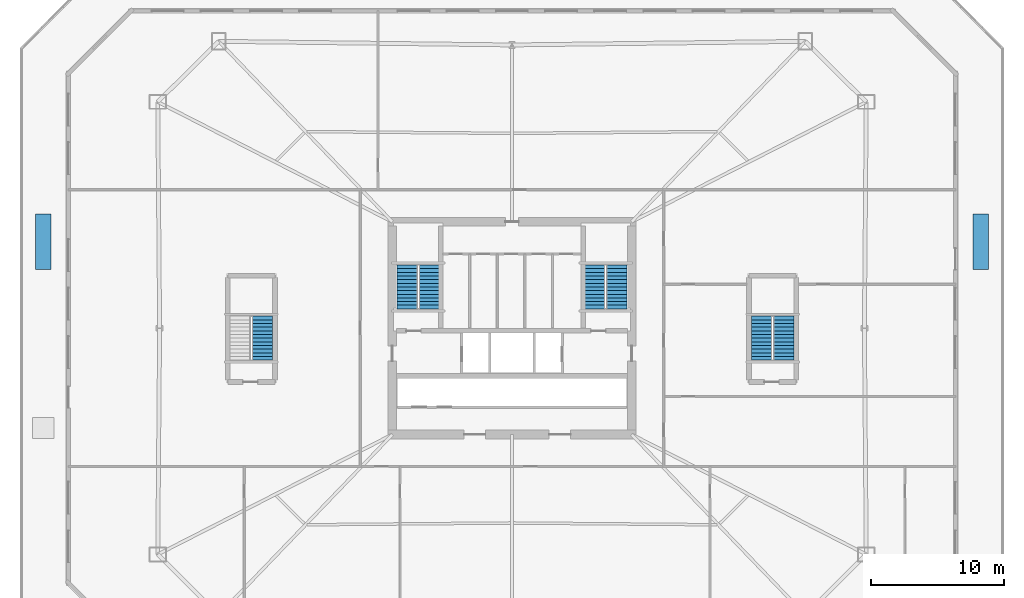
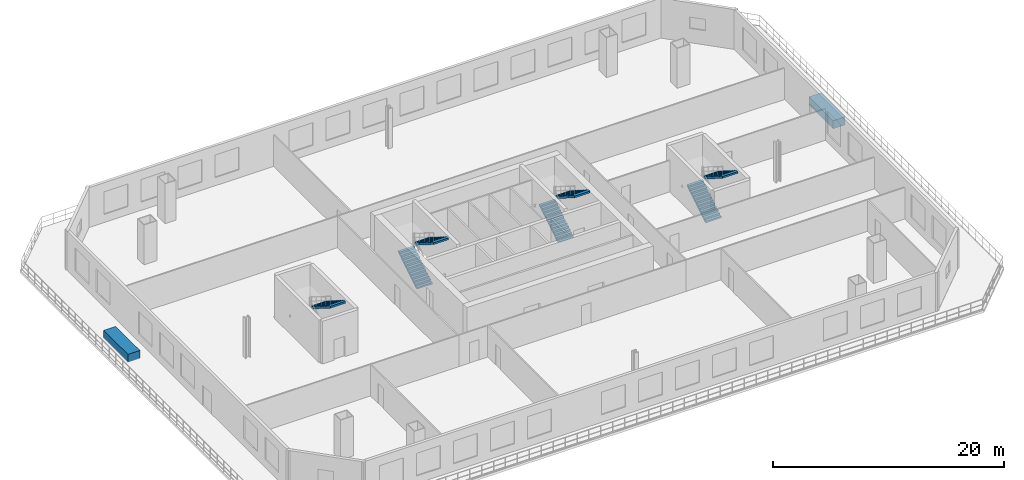
# One storey, part 6 of 10: 7 stair flights, 2 discrete accessories, 4 elements without a shape of their own.
"""IFC4 building model written with IfcOpenShell, lengths in metres."""

from ifc_helpers import new_model, si_unit, direction, frame, origin, origin_2d, place, context, subcontext, project, spatial, polyline, rectangle, outline, extrude, material, type_object, element, aggregate, save


model = new_model("IFC4")

# Units and contexts
model_context = context("Model", 3, precision=1e-05, world=origin(), true_north=direction((0.0, 1.0)))
body_context = subcontext(model_context, "Body", "Model", "MODEL_VIEW")
ifc_project = project(units=[si_unit("LENGTHUNIT", "METRE"), si_unit("AREAUNIT", "SQUARE_METRE"), si_unit("VOLUMEUNIT", "CUBIC_METRE"), si_unit("PLANEANGLEUNIT", "RADIAN"), si_unit("MASSUNIT", "GRAM", prefix="KILO")], contexts=[model_context])

# Site, building, storey
site_placement = place(None, origin())
site = spatial("IfcSite", under=ifc_project, at=site_placement, CompositionType="ELEMENT")
building_placement = place(site_placement, origin())
building = spatial("IfcBuilding", under=site, at=building_placement, Name="Caelvoria Tower", CompositionType="ELEMENT")
storey_placement = place(building_placement, frame((0.0, 0.0, 14.0)))
storey = spatial("IfcBuildingStorey", under=building, at=storey_placement, Name="L03", CompositionType="ELEMENT", Elevation=14.0)

# Stair, stair flights
ifc_material_1 = material(Name="Concrete C40/50", Category="concrete")
stair_type = type_object("IfcStairType", Name="Core Smokeproof Dogleg Stair Concrete C40/50", PredefinedType="HALF_TURN_STAIR", material=ifc_material_1)
stair_1_placement = place(storey_placement, origin())
stair_1 = element("IfcStair", 1, at=stair_1_placement, inside=storey, type_object=stair_type, Name="ST-01 Smokeproof Exit Stair L03", PredefinedType="HALF_TURN_STAIR")
ifc_material_2 = material(Name="Precast Concrete C40/50", Category="concrete")
stair_flight_type = type_object("IfcStairFlightType", Name="Precast Concrete C40/50 Stair Flight 1480", PredefinedType="STRAIGHT", material=ifc_material_2)
stair_flight_1_placement = place(storey_placement, frame((38.1298828125, 33.449951171875, 0.0), z_axis=(0.0, 0.0, 1.0), x_axis=(0.0, 1.0, 0.0)))
stair_flight_1 = element("IfcStairFlight", 2, at=stair_flight_1_placement, type_object=stair_flight_type, Name="ST-01 flight 1", NumberOfRisers=13, NumberOfTreads=12, PredefinedType="STRAIGHT", RiserHeight=0.1731, TreadLength=0.275, context=body_context, shape_type="SweptSolid", body=[
    extrude(outline(polyline([(0.0, 0.0), (0.0, 0.173095703125), (0.27490234375, 0.173095703125), (0.27490234375, 0.34619140625), (0.550048828125, 0.34619140625), (0.550048828125, 0.519287109375), (0.824951171875, 0.519287109375), (0.824951171875, 0.6923828125), (1.10009765625, 0.6923828125), (1.10009765625, 0.865478515625), (1.375, 0.865478515625), (1.375, 1.03857421875), (1.64990234375, 1.03857421875), (1.64990234375, 1.211669921875), (1.925048828125, 1.211669921875), (1.925048828125, 1.384765625), (2.199951171875, 1.384765625), (2.199951171875, 1.557861328125), (2.47509765625, 1.557861328125), (2.47509765625, 1.73095703125), (2.75, 1.73095703125), (2.75, 1.904052734375), (3.02490234375, 1.904052734375), (3.02490234375, 2.0771484375), (3.300048828125, 2.0771484375), (3.300048828125, 2.250244140625), (3.300048828125, 1.88818359375), (0.30029296875, 0.0), (0.0, 0.0)])), frame((0.0, 0.77001953125, 0.0), z_axis=(0.0, -1.0, 0.0), x_axis=(1.0, 0.0, 0.0)), (0.0, 0.0, 1.0), 1.5400390625),
])
stair_flight_2_placement = place(storey_placement, frame((39.77001953125, 36.75, 2.25), z_axis=(0.0, 0.0, 1.0), x_axis=(0.0, -1.0, 0.0)))
stair_flight_2 = element("IfcStairFlight", 3, at=stair_flight_2_placement, type_object=stair_flight_type, Name="ST-01 flight 2", NumberOfRisers=13, NumberOfTreads=12, PredefinedType="STRAIGHT", RiserHeight=0.1731, TreadLength=0.275, context=body_context, shape_type="SweptSolid", body=[
    extrude(outline(polyline([(0.0, 0.0), (0.0, 0.173095703125), (0.27490234375, 0.173095703125), (0.27490234375, 0.34619140625), (0.550048828125, 0.34619140625), (0.550048828125, 0.519287109375), (0.824951171875, 0.519287109375), (0.824951171875, 0.6923828125), (1.10009765625, 0.6923828125), (1.10009765625, 0.865478515625), (1.375, 0.865478515625), (1.375, 1.03857421875), (1.64990234375, 1.03857421875), (1.64990234375, 1.211669921875), (1.925048828125, 1.211669921875), (1.925048828125, 1.384765625), (2.199951171875, 1.384765625), (2.199951171875, 1.557861328125), (2.47509765625, 1.557861328125), (2.47509765625, 1.73095703125), (2.75, 1.73095703125), (2.75, 1.904052734375), (3.02490234375, 1.904052734375), (3.02490234375, 2.0771484375), (3.300048828125, 2.0771484375), (3.300048828125, 2.250244140625), (3.300048828125, 1.88818359375), (0.30029296875, 0.0), (0.0, 0.0)])), frame((0.0, 0.77001953125, 0.0), z_axis=(0.0, -1.0, 0.0), x_axis=(1.0, 0.0, 0.0)), (0.0, 0.0, 1.0), 1.5400390625),
])
aggregate(stair_1, [stair_flight_1, stair_flight_2])

stair_2_placement = place(storey_placement, origin())
stair_2 = element("IfcStair", 4, at=stair_2_placement, inside=storey, type_object=stair_type, Name="ST-02 Smokeproof Exit Stair L03", PredefinedType="HALF_TURN_STAIR")
stair_flight_3_placement = place(storey_placement, frame((52.22998046875, 33.449951171875, 0.0), z_axis=(0.0, 0.0, 1.0), x_axis=(0.0, 1.0, 0.0)))
stair_flight_3 = element("IfcStairFlight", 5, at=stair_flight_3_placement, type_object=stair_flight_type, Name="ST-02 flight 1", NumberOfRisers=13, NumberOfTreads=12, PredefinedType="STRAIGHT", RiserHeight=0.1731, TreadLength=0.275, context=body_context, shape_type="SweptSolid", body=[
    extrude(outline(polyline([(0.0, 0.0), (0.0, 0.173095703125), (0.27490234375, 0.173095703125), (0.27490234375, 0.34619140625), (0.550048828125, 0.34619140625), (0.550048828125, 0.519287109375), (0.824951171875, 0.519287109375), (0.824951171875, 0.6923828125), (1.10009765625, 0.6923828125), (1.10009765625, 0.865478515625), (1.375, 0.865478515625), (1.375, 1.03857421875), (1.64990234375, 1.03857421875), (1.64990234375, 1.211669921875), (1.925048828125, 1.211669921875), (1.925048828125, 1.384765625), (2.199951171875, 1.384765625), (2.199951171875, 1.557861328125), (2.47509765625, 1.557861328125), (2.47509765625, 1.73095703125), (2.75, 1.73095703125), (2.75, 1.904052734375), (3.02490234375, 1.904052734375), (3.02490234375, 2.0771484375), (3.300048828125, 2.0771484375), (3.300048828125, 2.250244140625), (3.300048828125, 1.88818359375), (0.30029296875, 0.0), (0.0, 0.0)])), frame((0.0, 0.77001953125, 0.0), z_axis=(0.0, -1.0, 0.0), x_axis=(1.0, 0.0, 0.0)), (0.0, 0.0, 1.0), 1.5400390625),
])
stair_flight_4_placement = place(storey_placement, frame((53.8701171875, 36.75, 2.25), z_axis=(0.0, 0.0, 1.0), x_axis=(0.0, -1.0, 0.0)))
stair_flight_4 = element("IfcStairFlight", 6, at=stair_flight_4_placement, type_object=stair_flight_type, Name="ST-02 flight 2", NumberOfRisers=13, NumberOfTreads=12, PredefinedType="STRAIGHT", RiserHeight=0.1731, TreadLength=0.275, context=body_context, shape_type="SweptSolid", body=[
    extrude(outline(polyline([(0.0, 0.0), (0.0, 0.173095703125), (0.27490234375, 0.173095703125), (0.27490234375, 0.34619140625), (0.550048828125, 0.34619140625), (0.550048828125, 0.519287109375), (0.824951171875, 0.519287109375), (0.824951171875, 0.6923828125), (1.10009765625, 0.6923828125), (1.10009765625, 0.865478515625), (1.375, 0.865478515625), (1.375, 1.03857421875), (1.64990234375, 1.03857421875), (1.64990234375, 1.211669921875), (1.925048828125, 1.211669921875), (1.925048828125, 1.384765625), (2.199951171875, 1.384765625), (2.199951171875, 1.557861328125), (2.47509765625, 1.557861328125), (2.47509765625, 1.73095703125), (2.75, 1.73095703125), (2.75, 1.904052734375), (3.02490234375, 1.904052734375), (3.02490234375, 2.0771484375), (3.300048828125, 2.0771484375), (3.300048828125, 2.250244140625), (3.300048828125, 1.88818359375), (0.30029296875, 0.0), (0.0, 0.0)])), frame((0.0, 0.77001953125, 0.0), z_axis=(0.0, -1.0, 0.0), x_axis=(1.0, 0.0, 0.0)), (0.0, 0.0, 1.0), 1.5400390625),
])
aggregate(stair_2, [stair_flight_3, stair_flight_4])

# Stair, stair flight
stair_3_placement = place(storey_placement, origin())
stair_3 = element("IfcStair", 7, at=stair_3_placement, inside=storey, type_object=stair_type, Name="ST-03 Smokeproof Exit Stair L03", PredefinedType="HALF_TURN_STAIR")
stair_flight_5_placement = place(storey_placement, frame((27.219970703125, 32.89990234375, 2.25), z_axis=(0.0, 0.0, 1.0), x_axis=(0.0, -1.0, 0.0)))
stair_flight_5 = element("IfcStairFlight", 8, at=stair_flight_5_placement, type_object=stair_flight_type, Name="ST-03 flight 2", NumberOfRisers=13, NumberOfTreads=12, PredefinedType="STRAIGHT", RiserHeight=0.1731, TreadLength=0.275, context=body_context, shape_type="SweptSolid", body=[
    extrude(outline(polyline([(0.0, 0.0), (0.0, 0.173095703125), (0.27490234375, 0.173095703125), (0.27490234375, 0.34619140625), (0.550048828125, 0.34619140625), (0.550048828125, 0.519287109375), (0.824951171875, 0.519287109375), (0.824951171875, 0.6923828125), (1.10009765625, 0.6923828125), (1.10009765625, 0.865478515625), (1.375, 0.865478515625), (1.375, 1.03857421875), (1.64990234375, 1.03857421875), (1.64990234375, 1.211669921875), (1.925048828125, 1.211669921875), (1.925048828125, 1.384765625), (2.199951171875, 1.384765625), (2.199951171875, 1.557861328125), (2.47509765625, 1.557861328125), (2.47509765625, 1.73095703125), (2.75, 1.73095703125), (2.75, 1.904052734375), (3.02490234375, 1.904052734375), (3.02490234375, 2.0771484375), (3.300048828125, 2.0771484375), (3.300048828125, 2.250244140625), (3.300048828125, 1.88818359375), (0.30029296875, 0.0), (0.0, 0.0)])), frame((0.0, 0.77001953125, 0.0), z_axis=(0.0, -1.0, 0.0), x_axis=(1.0, 0.0, 0.0)), (0.0, 0.0, 1.0), 1.5400390625),
])
aggregate(stair_3, [stair_flight_5])

# Stair, stair flights
stair_4_placement = place(storey_placement, origin())
stair_4 = element("IfcStair", 9, at=stair_4_placement, inside=storey, type_object=stair_type, Name="ST-04 Smokeproof Exit Stair L03", PredefinedType="HALF_TURN_STAIR")
stair_flight_6_placement = place(storey_placement, frame((64.780029296875, 29.60009765625, 0.0), z_axis=(0.0, 0.0, 1.0), x_axis=(0.0, 1.0, 0.0)))
stair_flight_6 = element("IfcStairFlight", 10, at=stair_flight_6_placement, type_object=stair_flight_type, Name="ST-04 flight 1", NumberOfRisers=13, NumberOfTreads=12, PredefinedType="STRAIGHT", RiserHeight=0.1731, TreadLength=0.275, context=body_context, shape_type="SweptSolid", body=[
    extrude(outline(polyline([(0.0, 0.0), (0.0, 0.173095703125), (0.27490234375, 0.173095703125), (0.27490234375, 0.34619140625), (0.550048828125, 0.34619140625), (0.550048828125, 0.519287109375), (0.824951171875, 0.519287109375), (0.824951171875, 0.6923828125), (1.10009765625, 0.6923828125), (1.10009765625, 0.865478515625), (1.375, 0.865478515625), (1.375, 1.03857421875), (1.64990234375, 1.03857421875), (1.64990234375, 1.211669921875), (1.925048828125, 1.211669921875), (1.925048828125, 1.384765625), (2.199951171875, 1.384765625), (2.199951171875, 1.557861328125), (2.47509765625, 1.557861328125), (2.47509765625, 1.73095703125), (2.75, 1.73095703125), (2.75, 1.904052734375), (3.02490234375, 1.904052734375), (3.02490234375, 2.0771484375), (3.300048828125, 2.0771484375), (3.300048828125, 2.250244140625), (3.300048828125, 1.88818359375), (0.30029296875, 0.0), (0.0, 0.0)])), frame((0.0, 0.77001953125, 0.0), z_axis=(0.0, -1.0, 0.0), x_axis=(1.0, 0.0, 0.0)), (0.0, 0.0, 1.0), 1.5400390625),
])
stair_flight_7_placement = place(storey_placement, frame((66.419921875, 32.89990234375, 2.25), z_axis=(0.0, 0.0, 1.0), x_axis=(0.0, -1.0, 0.0)))
stair_flight_7 = element("IfcStairFlight", 11, at=stair_flight_7_placement, type_object=stair_flight_type, Name="ST-04 flight 2", NumberOfRisers=13, NumberOfTreads=12, PredefinedType="STRAIGHT", RiserHeight=0.1731, TreadLength=0.275, context=body_context, shape_type="SweptSolid", body=[
    extrude(outline(polyline([(0.0, 0.0), (0.0, 0.173095703125), (0.27490234375, 0.173095703125), (0.27490234375, 0.34619140625), (0.550048828125, 0.34619140625), (0.550048828125, 0.519287109375), (0.824951171875, 0.519287109375), (0.824951171875, 0.6923828125), (1.10009765625, 0.6923828125), (1.10009765625, 0.865478515625), (1.375, 0.865478515625), (1.375, 1.03857421875), (1.64990234375, 1.03857421875), (1.64990234375, 1.211669921875), (1.925048828125, 1.211669921875), (1.925048828125, 1.384765625), (2.199951171875, 1.384765625), (2.199951171875, 1.557861328125), (2.47509765625, 1.557861328125), (2.47509765625, 1.73095703125), (2.75, 1.73095703125), (2.75, 1.904052734375), (3.02490234375, 1.904052734375), (3.02490234375, 2.0771484375), (3.300048828125, 2.0771484375), (3.300048828125, 2.250244140625), (3.300048828125, 1.88818359375), (0.30029296875, 0.0), (0.0, 0.0)])), frame((0.0, 0.77001953125, 0.0), z_axis=(0.0, -1.0, 0.0), x_axis=(1.0, 0.0, 0.0)), (0.0, 0.0, 1.0), 1.5400390625),
])
aggregate(stair_4, [stair_flight_6, stair_flight_7])

# Discrete accessories
ifc_material_3 = material(Name="Bronze-Clad Concrete C40/50 Planter Vessel", Category="concrete")
discrete_accessory_type = type_object("IfcDiscreteAccessoryType", Name="Podium Terrace Garden Planter Bed PLANTER", PredefinedType="USERDEFINED", material=ifc_material_3)
for number, where, z_axis, x_axis, name in (
    (12, (10.75, 38.5, 0.0), (0.0, 0.0, 1.0), (1.0, 0.0, 0.0), "Terrace Planted Bed L03-W"),
    (13, (81.25, 38.5, 0.0), (0.0, 0.0, 1.0), (1.0, 0.0, 0.0), "Terrace Planted Bed L03-E"),
):
    element("IfcDiscreteAccessory", number, at=place(storey_placement, frame(where, z_axis=z_axis, x_axis=x_axis)), inside=storey, type_object=discrete_accessory_type, Name=name, ObjectType="PLANTER", PredefinedType="USERDEFINED", context=body_context, shape_type="SweptSolid", body=[
        extrude(rectangle(XDim=1.199951171875, YDim=4.199951171875, at=origin_2d()), origin(), (0.0, 0.0, 1.0), 0.85009765625),
    ])

save(model, "model.ifc")
